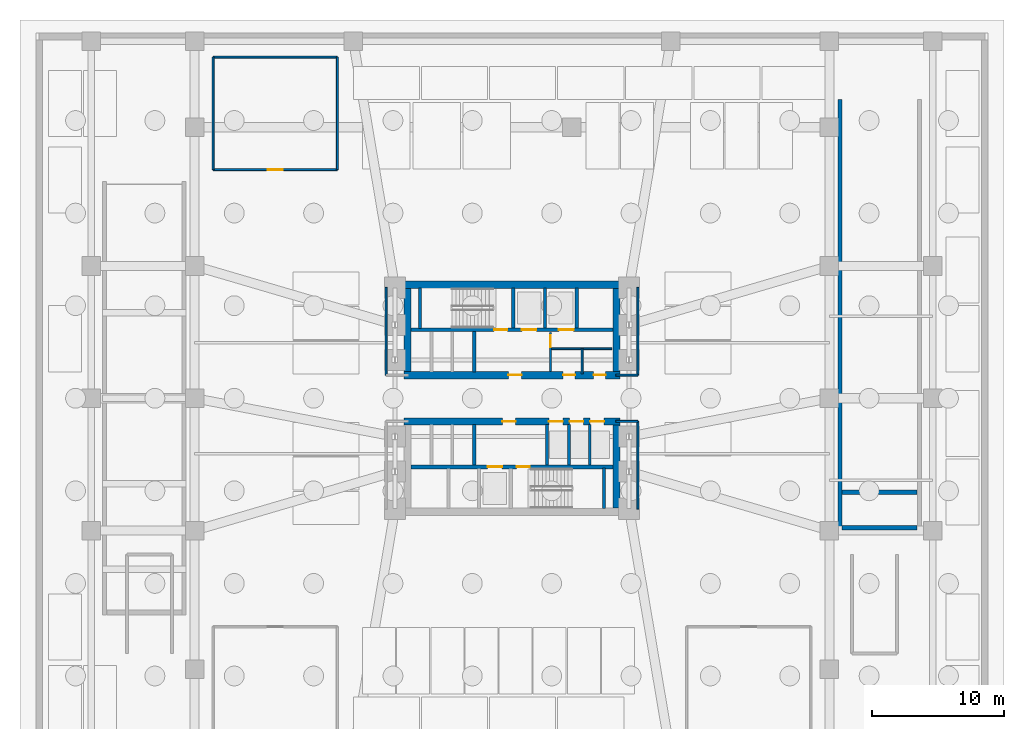
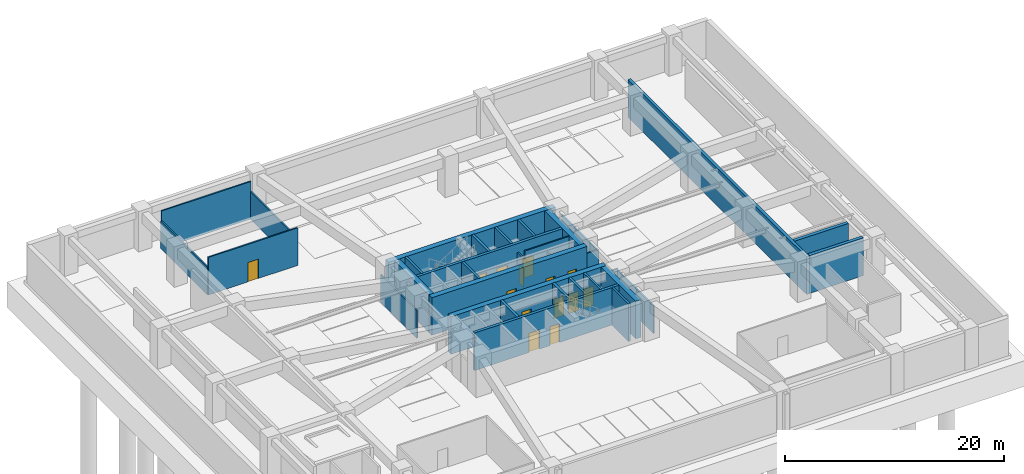
# One storey, part 7 of 14: 33 walls, 14 doors, 14 openings.
"""IFC4 building model written with IfcOpenShell, lengths in metres."""

from ifc_helpers import new_model, si_unit, direction, frame, frame_2d, origin, place, context, subcontext, project, spatial, rectangle, extrude, material, layer, layer_set, type_object, element, fill, save


model = new_model("IFC4")

# Units and contexts
model_context = context("Model", 3, precision=1e-05, world=origin(), true_north=direction((0.0, 1.0)))
body_context = subcontext(model_context, "Body", "Model", "MODEL_VIEW")
ifc_project = project(units=[si_unit("LENGTHUNIT", "METRE"), si_unit("AREAUNIT", "SQUARE_METRE"), si_unit("VOLUMEUNIT", "CUBIC_METRE"), si_unit("PLANEANGLEUNIT", "RADIAN"), si_unit("MASSUNIT", "GRAM", prefix="KILO")], contexts=[model_context])

# Site, building, storey
site_placement = place(None, origin())
site = spatial("IfcSite", under=ifc_project, at=site_placement, CompositionType="ELEMENT")
building_placement = place(site_placement, origin())
building = spatial("IfcBuilding", under=site, at=building_placement, Name="Solmarez Civic Tower", CompositionType="ELEMENT")
storey_placement = place(building_placement, frame((0.0, 0.0, -9.0)))
storey = spatial("IfcBuildingStorey", under=building, at=storey_placement, Name="B2", CompositionType="ELEMENT", Elevation=-9.0)

# Wall
ifc_material_1 = material(Name="Concrete C60/75", Category="concrete")
ifc_layer_1 = layer(ifc_material_1, 0.550048828125)
ifc_layer_set_1 = layer_set([ifc_layer_1], Name="Concrete C60/75")
wall_type_1 = type_object("IfcWallType", Name="WALL-CORE-550", PredefinedType="SHEAR", material=ifc_layer_set_1)
wall_1_placement = place(storey_placement, frame((-8.780029296875, 8.5849609375, 0.0), z_axis=(0.0, 0.0, 1.0), x_axis=(1.0, 0.0, 0.0)))
element("IfcWall", 1, at=wall_1_placement, inside=storey, type_object=wall_type_1, Name="B2 Split-Core Structural Wall NCW-N-B2", PredefinedType="SHEAR", context=body_context, shape_type="SweptSolid", body=[
    extrude(rectangle(XDim=17.56005859375, YDim=0.550048828125, at=frame_2d((8.780029296875, 0.0))), origin(), (0.0, 0.0, 1.0), 4.179931640625),
])

# Wall, openings, doors
wall_2_placement = place(storey_placement, frame((8.169921875, 1.75, 0.0), z_axis=(0.0, 0.0, 1.0), x_axis=(-1.0, 0.0, 0.0)))
wall_2 = element("IfcWall", 2, at=wall_2_placement, inside=storey, type_object=wall_type_1, Name="B2 Split-Core Structural Wall NCW-S-B2", PredefinedType="SHEAR", context=body_context, shape_type="SweptSolid", body=[
    extrude(rectangle(XDim=16.33984375, YDim=0.550048828125, at=frame_2d((8.169921875, 0.0))), origin(), (0.0, 0.0, 1.0), 4.179931640625),
])
opening_1_placement = place(wall_2_placement, frame((7.449951171875, 0.0, 0.0)))
opening_1 = element("IfcOpeningElement", 3, at=opening_1_placement, cuts=wall_2, Name="Opening D-04", PredefinedType="OPENING", context=body_context, shape_type="SweptSolid", body=[
    extrude(rectangle(XDim=1.0, YDim=2.10009765625, at=frame_2d((0.5, 1.050048828125))), frame((0.0, 0.284912109375, 0.0), z_axis=(0.0, -1.0, 0.0), x_axis=(1.0, 0.0, 0.0)), (0.0, 0.0, 1.0), 0.570068359375),
])
opening_2_placement = place(wall_2_placement, frame((3.39990234375, 0.0, 0.0)))
opening_2 = element("IfcOpeningElement", 4, at=opening_2_placement, cuts=wall_2, Name="Opening D-09", PredefinedType="OPENING", context=body_context, shape_type="SweptSolid", body=[
    extrude(rectangle(XDim=0.89990234375, YDim=2.06005859375, at=frame_2d((0.449951171875, 1.030029296875))), frame((0.0, 0.284912109375, 0.0), z_axis=(0.0, -1.0, 0.0), x_axis=(1.0, 0.0, 0.0)), (0.0, 0.0, 1.0), 0.570068359375),
])
opening_3_placement = place(wall_2_placement, frame((1.10009765625, 0.0, 0.0)))
opening_3 = element("IfcOpeningElement", 5, at=opening_3_placement, cuts=wall_2, Name="Opening D-09", PredefinedType="OPENING", context=body_context, shape_type="SweptSolid", body=[
    extrude(rectangle(XDim=0.89990234375, YDim=2.06005859375, at=frame_2d((0.449951171875, 1.030029296875))), frame((0.0, 0.284912109375, 0.0), z_axis=(0.0, -1.0, 0.0), x_axis=(1.0, 0.0, 0.0)), (0.0, 0.0, 1.0), 0.570068359375),
])
ifc_material_2 = material(Name="Steel-Faced Acoustic Fire Door", Category="steel")
door_type_1 = type_object("IfcDoorType", Name="DOOR-FD60-1000", OperationType="NOTDEFINED", PredefinedType="DOOR", material=ifc_material_2)
door_1_placement = place(opening_1_placement, origin())
door_1 = element("IfcDoor", 6, at=door_1_placement, inside=storey, type_object=door_type_1, Name="B2 North Firefighting Lobby Door", OperationType="SINGLE_SWING_LEFT", OverallHeight=2.10009765625, OverallWidth=1.0, PredefinedType="DOOR", context=body_context, shape_type="SweptSolid", body=[
    extrude(rectangle(XDim=1.0, YDim=2.10009765625, at=frame_2d((0.5, 1.050048828125))), frame((0.0, 0.02490234375, 0.0), z_axis=(0.0, -1.0, 0.0), x_axis=(1.0, 0.0, 0.0)), (0.0, 0.0, 1.0), 0.050048828125),
])
fill(opening_1, door_1)
ifc_material_3 = material(Name="Fire-Rated Service Core Door", Category="wood")
door_type_2 = type_object("IfcDoorType", Name="DOOR-FD60-900", OperationType="NOTDEFINED", PredefinedType="DOOR", material=ifc_material_3)
door_2_placement = place(opening_2_placement, origin())
door_2 = element("IfcDoor", 7, at=door_2_placement, inside=storey, type_object=door_type_2, Name="B2 Core WC Door", OperationType="SINGLE_SWING_LEFT", OverallHeight=2.06005859375, OverallWidth=0.89990234375, PredefinedType="DOOR", context=body_context, shape_type="SweptSolid", body=[
    extrude(rectangle(XDim=0.89990234375, YDim=2.06005859375, at=frame_2d((0.449951171875, 1.030029296875))), frame((0.0, 0.02490234375, 0.0), z_axis=(0.0, -1.0, 0.0), x_axis=(1.0, 0.0, 0.0)), (0.0, 0.0, 1.0), 0.050048828125),
])
fill(opening_2, door_2)
door_3_placement = place(opening_3_placement, origin())
door_3 = element("IfcDoor", 8, at=door_3_placement, inside=storey, type_object=door_type_2, Name="B2 Core CL Door", OperationType="SINGLE_SWING_RIGHT", OverallHeight=2.06005859375, OverallWidth=0.89990234375, PredefinedType="DOOR", context=body_context, shape_type="SweptSolid", body=[
    extrude(rectangle(XDim=0.89990234375, YDim=2.06005859375, at=frame_2d((0.449951171875, 1.030029296875))), frame((0.0, 0.02490234375, 0.0), z_axis=(0.0, -1.0, 0.0), x_axis=(1.0, 0.0, 0.0)), (0.0, 0.0, 1.0), 0.050048828125),
])
fill(opening_3, door_3)

# Walls
for number, where, z_axis, x_axis, name in (
    (9, (-7.89501953125, 2.02490234375, 0.0), (0.0, 0.0, 1.0), (0.0, 1.0, 0.0), "B2 Split-Core Structural Wall NCW-W-B2"),
    (10, (7.89501953125, 8.31005859375, 0.0), (0.0, 0.0, 1.0), (0.0, -1.0, 0.0), "B2 Split-Core Structural Wall NCW-E-B2"),
):
    element("IfcWall", number, at=place(storey_placement, frame(where, z_axis=z_axis, x_axis=x_axis)), inside=storey, type_object=wall_type_1, Name=name, PredefinedType="SHEAR", context=body_context, shape_type="SweptSolid", body=[
        extrude(rectangle(XDim=6.28515625, YDim=0.550048828125, at=frame_2d((3.142578125, 0.0))), origin(), (0.0, 0.0, 1.0), 4.179931640625),
    ])

# Wall, openings, doors
wall_3_placement = place(storey_placement, frame((-8.169921875, -1.75, 0.0), z_axis=(0.0, 0.0, 1.0), x_axis=(1.0, 0.0, 0.0)))
wall_3 = element("IfcWall", 11, at=wall_3_placement, inside=storey, type_object=wall_type_1, Name="B2 Split-Core Structural Wall SCW-N-B2", PredefinedType="SHEAR", context=body_context, shape_type="SweptSolid", body=[
    extrude(rectangle(XDim=16.33984375, YDim=0.550048828125, at=frame_2d((8.169921875, 0.0))), origin(), (0.0, 0.0, 1.0), 4.179931640625),
])
opening_4_placement = place(wall_3_placement, frame((7.449951171875, 0.0, 0.0)))
opening_4 = element("IfcOpeningElement", 12, at=opening_4_placement, cuts=wall_3, Name="Opening D-04", PredefinedType="OPENING", context=body_context, shape_type="SweptSolid", body=[
    extrude(rectangle(XDim=1.0, YDim=2.10009765625, at=frame_2d((0.5, 1.050048828125))), frame((0.0, 0.284912109375, 0.0), z_axis=(0.0, -1.0, 0.0), x_axis=(1.0, 0.0, 0.0)), (0.0, 0.0, 1.0), 0.570068359375),
])
opening_5_placement = place(wall_3_placement, frame((10.965087890625, 0.0, 0.0)))
opening_5 = element("IfcOpeningElement", 13, at=opening_5_placement, cuts=wall_3, Name="Opening LD-01", PredefinedType="OPENING", context=body_context, shape_type="SweptSolid", body=[
    extrude(rectangle(XDim=1.050048828125, YDim=2.14990234375, at=frame_2d((0.52490234375, 1.074951171875))), frame((0.0, 0.284912109375, 0.0), z_axis=(0.0, -1.0, 0.0), x_axis=(1.0, 0.0, 0.0)), (0.0, 0.0, 1.0), 0.570068359375),
])
opening_6_placement = place(wall_3_placement, frame((12.52490234375, 0.0, 0.0)))
opening_6 = element("IfcOpeningElement", 14, at=opening_6_placement, cuts=wall_3, Name="Opening LD-01", PredefinedType="OPENING", context=body_context, shape_type="SweptSolid", body=[
    extrude(rectangle(XDim=1.050048828125, YDim=2.14990234375, at=frame_2d((0.52490234375, 1.074951171875))), frame((0.0, 0.284912109375, 0.0), z_axis=(0.0, -1.0, 0.0), x_axis=(1.0, 0.0, 0.0)), (0.0, 0.0, 1.0), 0.570068359375),
])
opening_7_placement = place(wall_3_placement, frame((14.0849609375, 0.0, 0.0)))
opening_7 = element("IfcOpeningElement", 15, at=opening_7_placement, cuts=wall_3, Name="Opening LD-01", PredefinedType="OPENING", context=body_context, shape_type="SweptSolid", body=[
    extrude(rectangle(XDim=1.050048828125, YDim=2.14990234375, at=frame_2d((0.52490234375, 1.074951171875))), frame((0.0, 0.284912109375, 0.0), z_axis=(0.0, -1.0, 0.0), x_axis=(1.0, 0.0, 0.0)), (0.0, 0.0, 1.0), 0.570068359375),
])
door_4_placement = place(opening_4_placement, origin())
door_4 = element("IfcDoor", 16, at=door_4_placement, inside=storey, type_object=door_type_1, Name="B2 South Firefighting Lobby Door", OperationType="SINGLE_SWING_RIGHT", OverallHeight=2.10009765625, OverallWidth=1.0, PredefinedType="DOOR", context=body_context, shape_type="SweptSolid", body=[
    extrude(rectangle(XDim=1.0, YDim=2.10009765625, at=frame_2d((0.5, 1.050048828125))), frame((0.0, 0.02490234375, 0.0), z_axis=(0.0, -1.0, 0.0), x_axis=(1.0, 0.0, 0.0)), (0.0, 0.0, 1.0), 0.050048828125),
])
fill(opening_4, door_4)
ifc_material_4 = material(Name="Bronze Passenger Lift Landing Sliding Door", Category="aluminium")
door_type_3 = type_object("IfcDoorType", Name="DOOR-LD-PAX-1050", OperationType="DOUBLE_DOOR_SLIDING", PredefinedType="DOOR", material=ifc_material_4)
door_5_placement = place(opening_5_placement, origin())
door_5 = element("IfcDoor", 17, at=door_5_placement, inside=storey, type_object=door_type_3, Name="B2 Low-Rise Lift Landing Door PL-L1", OperationType="DOUBLE_DOOR_SLIDING", OverallHeight=2.14990234375, OverallWidth=1.050048828125, PredefinedType="DOOR", context=body_context, shape_type="SweptSolid", body=[
    extrude(rectangle(XDim=1.050048828125, YDim=2.14990234375, at=frame_2d((0.52490234375, 1.074951171875))), frame((0.0, 0.02490234375, 0.0), z_axis=(0.0, -1.0, 0.0), x_axis=(1.0, 0.0, 0.0)), (0.0, 0.0, 1.0), 0.050048828125),
])
fill(opening_5, door_5)
door_6_placement = place(opening_6_placement, origin())
door_6 = element("IfcDoor", 18, at=door_6_placement, inside=storey, type_object=door_type_3, Name="B2 Low-Rise Lift Landing Door PL-L2", OperationType="DOUBLE_DOOR_SLIDING", OverallHeight=2.14990234375, OverallWidth=1.050048828125, PredefinedType="DOOR", context=body_context, shape_type="SweptSolid", body=[
    extrude(rectangle(XDim=1.050048828125, YDim=2.14990234375, at=frame_2d((0.52490234375, 1.074951171875))), frame((0.0, 0.02490234375, 0.0), z_axis=(0.0, -1.0, 0.0), x_axis=(1.0, 0.0, 0.0)), (0.0, 0.0, 1.0), 0.050048828125),
])
fill(opening_6, door_6)
door_7_placement = place(opening_7_placement, origin())
door_7 = element("IfcDoor", 19, at=door_7_placement, inside=storey, type_object=door_type_3, Name="B2 Low-Rise Lift Landing Door PL-L3", OperationType="DOUBLE_DOOR_SLIDING", OverallHeight=2.14990234375, OverallWidth=1.050048828125, PredefinedType="DOOR", context=body_context, shape_type="SweptSolid", body=[
    extrude(rectangle(XDim=1.050048828125, YDim=2.14990234375, at=frame_2d((0.52490234375, 1.074951171875))), frame((0.0, 0.02490234375, 0.0), z_axis=(0.0, -1.0, 0.0), x_axis=(1.0, 0.0, 0.0)), (0.0, 0.0, 1.0), 0.050048828125),
])
fill(opening_7, door_7)

# Walls
wall_4_placement = place(storey_placement, frame((7.89501953125, -2.02490234375, 0.0), z_axis=(0.0, 0.0, 1.0), x_axis=(0.0, -1.0, 0.0)))
element("IfcWall", 20, at=wall_4_placement, inside=storey, type_object=wall_type_1, Name="B2 Split-Core Structural Wall SCW-E-B2", PredefinedType="SHEAR", context=body_context, shape_type="SweptSolid", body=[
    extrude(rectangle(XDim=6.28515625, YDim=0.550048828125, at=frame_2d((3.142578125, 0.0))), origin(), (0.0, 0.0, 1.0), 4.179931640625),
])
ifc_material_5 = material(Name="Gypsum Board Acoustic Steel-Stud Partition", Category="steel")
ifc_layer_2 = layer(ifc_material_5, 0.14990234375)
ifc_layer_set_2 = layer_set([ifc_layer_2], Name="Gypsum Board Acoustic Steel-Stud Partition")
wall_type_2 = type_object("IfcWallType", Name="WALL-INT-FIRE-150", PredefinedType="PARTITIONING", material=ifc_layer_set_2)
for number, where, z_axis, x_axis, name in (
    (21, (-9.52001953125, 1.75, 0.0), (0.0, 0.0, 1.0), (0.0, 1.0, 0.0), "B2 Interior Partition CHW-B2-WN1"),
    (22, (9.52001953125, 1.75, 0.0), (0.0, 0.0, 1.0), (0.0, 1.0, 0.0), "B2 Interior Partition CHW-B2-EN1"),
):
    element("IfcWall", number, at=place(storey_placement, frame(where, z_axis=z_axis, x_axis=x_axis)), inside=storey, type_object=wall_type_2, Name=name, PredefinedType="PARTITIONING", context=body_context, shape_type="SweptSolid", body=[
        extrude(rectangle(XDim=6.6298828125, YDim=0.14990234375, at=frame_2d((3.31494140625, 0.0))), origin(), (0.0, 0.0, 1.0), 3.072021484375),
    ])
wall_5_placement = place(storey_placement, frame((7.85009765625, 1.75, 0.0), z_axis=(0.0, 0.0, 1.0), x_axis=(1.0, 0.0, 0.0)))
element("IfcWall", 23, at=wall_5_placement, inside=storey, type_object=wall_type_2, Name="B2 Interior Partition CHW-B2-EN3", PredefinedType="PARTITIONING", context=body_context, shape_type="SweptSolid", body=[
    extrude(rectangle(XDim=1.669921875, YDim=0.14990234375, at=frame_2d((0.8349609375, 0.0))), origin(), (0.0, 0.0, 1.0), 3.2451171875),
])
wall_6_placement = place(storey_placement, frame((9.52001953125, -8.3798828125, 0.0), z_axis=(0.0, 0.0, 1.0), x_axis=(0.0, 1.0, 0.0)))
element("IfcWall", 24, at=wall_6_placement, inside=storey, type_object=wall_type_2, Name="B2 Interior Partition CHW-B2-ES1", PredefinedType="PARTITIONING", context=body_context, shape_type="SweptSolid", body=[
    extrude(rectangle(XDim=6.6298828125, YDim=0.14990234375, at=frame_2d((3.31494140625, 0.0))), origin(), (0.0, 0.0, 1.0), 3.072021484375),
])
wall_7_placement = place(storey_placement, frame((7.85009765625, -1.75, 0.0), z_axis=(0.0, 0.0, 1.0), x_axis=(1.0, 0.0, 0.0)))
element("IfcWall", 25, at=wall_7_placement, inside=storey, type_object=wall_type_2, Name="B2 Interior Partition CHW-B2-ES3", PredefinedType="PARTITIONING", context=body_context, shape_type="SweptSolid", body=[
    extrude(rectangle(XDim=1.669921875, YDim=0.14990234375, at=frame_2d((0.8349609375, 0.0))), origin(), (0.0, 0.0, 1.0), 3.2451171875),
])

# Wall, opening, door
wall_8_placement = place(storey_placement, frame((-13.199951171875, 17.280029296875, 0.0), z_axis=(0.0, 0.0, 1.0), x_axis=(-1.0, 0.0, 0.0)))
wall_8 = element("IfcWall", 26, at=wall_8_placement, inside=storey, type_object=wall_type_2, Name="B2 Interior Partition PT-B2-NW-F", PredefinedType="PARTITIONING", context=body_context, shape_type="SweptSolid", body=[
    extrude(rectangle(XDim=9.400146484375, YDim=0.14990234375, at=frame_2d((4.7001953125, 0.0))), origin(), (0.0, 0.0, 1.0), 4.179931640625),
])
opening_8_placement = place(wall_8_placement, frame((4.14990234375, 0.0, 0.0)))
opening_8 = element("IfcOpeningElement", 27, at=opening_8_placement, cuts=wall_8, Name="Opening D-07", PredefinedType="OPENING", context=body_context, shape_type="SweptSolid", body=[
    extrude(rectangle(XDim=1.10009765625, YDim=2.14990234375, at=frame_2d((0.550048828125, 1.074951171875))), frame((0.0, 0.0849609375, 0.0), z_axis=(0.0, -1.0, 0.0), x_axis=(1.0, 0.0, 0.0)), (0.0, 0.0, 1.0), 0.169921875),
])
ifc_material_6 = material(Name="Heavy-Duty Fire Exit Door", Category="wood")
door_type_4 = type_object("IfcDoorType", Name="DOOR-FD90-1100", OperationType="NOTDEFINED", PredefinedType="DOOR", material=ifc_material_6)
door_8_placement = place(opening_8_placement, origin())
door_8 = element("IfcDoor", 28, at=door_8_placement, inside=storey, type_object=door_type_4, Name="B2 Mechanical Equipment Store Door", OperationType="SINGLE_SWING_LEFT", OverallHeight=2.14990234375, OverallWidth=1.10009765625, PredefinedType="DOOR", context=body_context, shape_type="SweptSolid", body=[
    extrude(rectangle(XDim=1.10009765625, YDim=2.14990234375, at=frame_2d((0.550048828125, 1.074951171875))), frame((0.0, 0.02490234375, 0.0), z_axis=(0.0, -1.0, 0.0), x_axis=(1.0, 0.0, 0.0)), (0.0, 0.0, 1.0), 0.050048828125),
])
fill(opening_8, door_8)

# Walls
for number, where, z_axis, x_axis, name in (
    (29, (-22.60009765625, 17.280029296875, 0.0), (0.0, 0.0, 1.0), (0.0, 1.0, 0.0), "B2 Interior Partition PT-B2-NW-W"),
    (30, (-13.199951171875, 17.280029296875, 0.0), (0.0, 0.0, 1.0), (0.0, 1.0, 0.0), "B2 Interior Partition PT-B2-NW-E"),
):
    element("IfcWall", number, at=place(storey_placement, frame(where, z_axis=z_axis, x_axis=x_axis)), inside=storey, type_object=wall_type_2, Name=name, PredefinedType="PARTITIONING", context=body_context, shape_type="SweptSolid", body=[
        extrude(rectangle(XDim=8.52001953125, YDim=0.14990234375, at=frame_2d((4.260009765625, 0.0))), origin(), (0.0, 0.0, 1.0), 3.072021484375),
    ])
wall_9_placement = place(storey_placement, frame((-22.60009765625, 25.800048828125, 0.0), z_axis=(0.0, 0.0, 1.0), x_axis=(1.0, 0.0, 0.0)))
element("IfcWall", 31, at=wall_9_placement, inside=storey, type_object=wall_type_2, Name="B2 Interior Partition PT-B2-NW-B", PredefinedType="PARTITIONING", context=body_context, shape_type="SweptSolid", body=[
    extrude(rectangle(XDim=9.400146484375, YDim=0.14990234375, at=frame_2d((4.7001953125, 0.0))), origin(), (0.0, 0.0, 1.0), 4.179931640625),
])

# Wall, opening, door
ifc_layer_3 = layer(ifc_material_5, 0.159912109375)
ifc_layer_set_3 = layer_set([ifc_layer_3], Name="Gypsum Board Acoustic Steel-Stud Partition")
wall_type_3 = type_object("IfcWallType", Name="WALL-INT-SHAFT-160", PredefinedType="PARTITIONING", material=ifc_layer_set_3)
wall_10_placement = place(storey_placement, frame((2.89990234375, 2.0400390625, 0.0), z_axis=(0.0, 0.0, 1.0), x_axis=(0.0, 1.0, 0.0)))
wall_10 = element("IfcWall", 32, at=wall_10_placement, inside=storey, type_object=wall_type_3, Name="B2 Interior Partition SHW-NL2-B2", PredefinedType="PARTITIONING", context=body_context, shape_type="SweptSolid", body=[
    extrude(rectangle(XDim=2.93994140625, YDim=0.159912109375, at=frame_2d((1.469970703125, 0.0))), origin(), (0.0, 0.0, 1.0), 3.2451171875),
])
opening_9_placement = place(wall_10_placement, frame((1.820068359375, 0.0, 0.0)))
opening_9 = element("IfcOpeningElement", 33, at=opening_9_placement, cuts=wall_10, Name="Opening D-09", PredefinedType="OPENING", context=body_context, shape_type="SweptSolid", body=[
    extrude(rectangle(XDim=0.89990234375, YDim=2.06005859375, at=frame_2d((0.449951171875, 1.030029296875))), frame((0.0, 0.08984375, 0.0), z_axis=(0.0, -1.0, 0.0), x_axis=(1.0, 0.0, 0.0)), (0.0, 0.0, 1.0), 0.179931640625),
])
door_9_placement = place(opening_9_placement, origin())
door_9 = element("IfcDoor", 34, at=door_9_placement, inside=storey, type_object=door_type_2, Name="B2 Service Lift Lobby Door", OperationType="SINGLE_SWING_LEFT", OverallHeight=2.06005859375, OverallWidth=0.89990234375, PredefinedType="DOOR", context=body_context, shape_type="SweptSolid", body=[
    extrude(rectangle(XDim=0.89990234375, YDim=2.06005859375, at=frame_2d((0.449951171875, 1.030029296875))), frame((0.0, 0.02490234375, 0.0), z_axis=(0.0, -1.0, 0.0), x_axis=(1.0, 0.0, 0.0)), (0.0, 0.0, 1.0), 0.050048828125),
])
fill(opening_9, door_9)

# Walls
ifc_layer_4 = layer(ifc_material_5, 0.137939453125)
ifc_layer_set_4 = layer_set([ifc_layer_4], Name="Gypsum Board Acoustic Steel-Stud Partition")
wall_type_4 = type_object("IfcWallType", Name="WALL-INT-WET-140", PredefinedType="PARTITIONING", material=ifc_layer_set_4)
wall_11_placement = place(storey_placement, frame((2.89990234375, 3.739990234375, 0.0), z_axis=(0.0, 0.0, 1.0), x_axis=(1.0, 0.0, 0.0)))
element("IfcWall", 35, at=wall_11_placement, inside=storey, type_object=wall_type_4, Name="B2 Interior Partition SHW-SVH-B2", PredefinedType="PARTITIONING", context=body_context, shape_type="SweptSolid", body=[
    extrude(rectangle(XDim=4.650146484375, YDim=0.137939453125, at=frame_2d((2.3251953125, 0.0))), origin(), (0.0, 0.0, 1.0), 4.179931640625),
])
wall_12_placement = place(storey_placement, frame((5.300048828125, 1.85009765625, 0.0), z_axis=(0.0, 0.0, 1.0), x_axis=(0.0, 1.0, 0.0)))
element("IfcWall", 36, at=wall_12_placement, inside=storey, type_object=wall_type_4, Name="B2 Interior Partition PT-NCSV-B2", PredefinedType="PARTITIONING", context=body_context, shape_type="SweptSolid", body=[
    extrude(rectangle(XDim=1.889892578125, YDim=0.137939453125, at=frame_2d((0.94482421875, 0.0))), origin(), (0.0, 0.0, 1.0), 3.2451171875),
])

# Wall, openings, doors
ifc_material_7 = material(Name="Concrete C50/60", Category="concrete")
ifc_layer_5 = layer(ifc_material_7, 0.300048828125)
ifc_layer_set_5 = layer_set([ifc_layer_5], Name="Concrete C50/60")
wall_type_5 = type_object("IfcWallType", Name="WALL-STR-300", PredefinedType="SOLIDWALL", material=ifc_layer_set_5)
wall_13_placement = place(storey_placement, frame((7.6201171875, 5.179931640625, 0.0), z_axis=(0.0, 0.0, 1.0), x_axis=(-1.0, 0.0, 0.0)))
wall_13 = element("IfcWall", 37, at=wall_13_placement, inside=storey, type_object=wall_type_5, Name="B2 Split-Core Structural Wall NCW-M-B2", PredefinedType="SOLIDWALL", context=body_context, shape_type="SweptSolid", body=[
    extrude(rectangle(XDim=15.240234375, YDim=0.300048828125, at=frame_2d((7.6201171875, 0.0))), origin(), (0.0, 0.0, 1.0), 4.179931640625),
])
opening_10_placement = place(wall_13_placement, frame((5.77001953125, 0.0, 0.0)))
opening_10 = element("IfcOpeningElement", 38, at=opening_10_placement, cuts=wall_13, Name="Opening LD-02", PredefinedType="OPENING", context=body_context, shape_type="SweptSolid", body=[
    extrude(rectangle(XDim=1.10009765625, YDim=2.14990234375, at=frame_2d((0.550048828125, 1.074951171875))), frame((0.0, 0.159912109375, 0.0), z_axis=(0.0, -1.0, 0.0), x_axis=(1.0, 0.0, 0.0)), (0.0, 0.0, 1.0), 0.320068359375),
])
opening_11_placement = place(wall_13_placement, frame((2.969970703125, 0.0, 0.0)))
opening_11 = element("IfcOpeningElement", 39, at=opening_11_placement, cuts=wall_13, Name="Opening LD-03", PredefinedType="OPENING", context=body_context, shape_type="SweptSolid", body=[
    extrude(rectangle(XDim=1.10009765625, YDim=2.14990234375, at=frame_2d((0.550048828125, 1.074951171875))), frame((0.0, 0.159912109375, 0.0), z_axis=(0.0, -1.0, 0.0), x_axis=(1.0, 0.0, 0.0)), (0.0, 0.0, 1.0), 0.320068359375),
])
opening_12_placement = place(wall_13_placement, frame((7.969970703125, 0.0, 0.0)))
opening_12 = element("IfcOpeningElement", 40, at=opening_12_placement, cuts=wall_13, Name="Opening D-05", PredefinedType="OPENING", context=body_context, shape_type="SweptSolid", body=[
    extrude(rectangle(XDim=1.0, YDim=2.10009765625, at=frame_2d((0.5, 1.050048828125))), frame((0.0, 0.159912109375, 0.0), z_axis=(0.0, -1.0, 0.0), x_axis=(1.0, 0.0, 0.0)), (0.0, 0.0, 1.0), 0.320068359375),
])
ifc_material_8 = material(Name="Fire-Rated Stairwell Exit Door", Category="wood")
door_type_5 = type_object("IfcDoorType", Name="DOOR-FD90-1000", OperationType="NOTDEFINED", PredefinedType="DOOR", material=ifc_material_8)
door_10_placement = place(opening_12_placement, origin())
door_10 = element("IfcDoor", 41, at=door_10_placement, inside=storey, type_object=door_type_5, Name="B2 North Exit Stair Door ST-1", OperationType="SINGLE_SWING_LEFT", OverallHeight=2.10009765625, OverallWidth=1.0, PredefinedType="DOOR", context=body_context, shape_type="SweptSolid", body=[
    extrude(rectangle(XDim=1.0, YDim=2.10009765625, at=frame_2d((0.5, 1.050048828125))), frame((0.0, 0.02490234375, 0.0), z_axis=(0.0, -1.0, 0.0), x_axis=(1.0, 0.0, 0.0)), (0.0, 0.0, 1.0), 0.050048828125),
])
fill(opening_12, door_10)
ifc_material_9 = material(Name="Stainless Firefighting Lift Landing Sliding Door", Category="aluminium")
door_type_6 = type_object("IfcDoorType", Name="DOOR-LD-FF-1100", OperationType="DOUBLE_DOOR_SLIDING", PredefinedType="DOOR", material=ifc_material_9)
door_11_placement = place(opening_10_placement, origin())
door_11 = element("IfcDoor", 42, at=door_11_placement, inside=storey, type_object=door_type_6, Name="B2 Firefighting Lift Landing Door FFL-1", OperationType="DOUBLE_DOOR_SLIDING", OverallHeight=2.14990234375, OverallWidth=1.10009765625, PredefinedType="DOOR", context=body_context, shape_type="SweptSolid", body=[
    extrude(rectangle(XDim=1.10009765625, YDim=2.14990234375, at=frame_2d((0.550048828125, 1.074951171875))), frame((0.0, 0.02490234375, 0.0), z_axis=(0.0, -1.0, 0.0), x_axis=(1.0, 0.0, 0.0)), (0.0, 0.0, 1.0), 0.050048828125),
])
fill(opening_10, door_11)
ifc_material_10 = material(Name="Stainless Stretcher Lift Landing Sliding Door", Category="aluminium")
door_type_7 = type_object("IfcDoorType", Name="DOOR-LD-SV-1100", OperationType="DOUBLE_DOOR_SLIDING", PredefinedType="DOOR", material=ifc_material_10)
door_12_placement = place(opening_11_placement, origin())
door_12 = element("IfcDoor", 43, at=door_12_placement, inside=storey, type_object=door_type_7, Name="B2 Service Stretcher Lift Landing Door SVL-1", OperationType="DOUBLE_DOOR_SLIDING", OverallHeight=2.14990234375, OverallWidth=1.10009765625, PredefinedType="DOOR", context=body_context, shape_type="SweptSolid", body=[
    extrude(rectangle(XDim=1.10009765625, YDim=2.14990234375, at=frame_2d((0.550048828125, 1.074951171875))), frame((0.0, 0.02490234375, 0.0), z_axis=(0.0, -1.0, 0.0), x_axis=(1.0, 0.0, 0.0)), (0.0, 0.0, 1.0), 0.050048828125),
])
fill(opening_11, door_12)

wall_14_placement = place(storey_placement, frame((-7.6201171875, -5.179931640625, 0.0), z_axis=(0.0, 0.0, 1.0), x_axis=(1.0, 0.0, 0.0)))
wall_14 = element("IfcWall", 44, at=wall_14_placement, inside=storey, type_object=wall_type_5, Name="B2 Split-Core Structural Wall SCW-M-B2", PredefinedType="SOLIDWALL", context=body_context, shape_type="SweptSolid", body=[
    extrude(rectangle(XDim=15.240234375, YDim=0.300048828125, at=frame_2d((7.6201171875, 0.0))), origin(), (0.0, 0.0, 1.0), 4.179931640625),
])
opening_13_placement = place(wall_14_placement, frame((5.77001953125, 0.0, 0.0)))
opening_13 = element("IfcOpeningElement", 45, at=opening_13_placement, cuts=wall_14, Name="Opening LD-02", PredefinedType="OPENING", context=body_context, shape_type="SweptSolid", body=[
    extrude(rectangle(XDim=1.10009765625, YDim=2.14990234375, at=frame_2d((0.550048828125, 1.074951171875))), frame((0.0, 0.159912109375, 0.0), z_axis=(0.0, -1.0, 0.0), x_axis=(1.0, 0.0, 0.0)), (0.0, 0.0, 1.0), 0.320068359375),
])
opening_14_placement = place(wall_14_placement, frame((7.969970703125, 0.0, 0.0)))
opening_14 = element("IfcOpeningElement", 46, at=opening_14_placement, cuts=wall_14, Name="Opening D-05", PredefinedType="OPENING", context=body_context, shape_type="SweptSolid", body=[
    extrude(rectangle(XDim=1.0, YDim=2.10009765625, at=frame_2d((0.5, 1.050048828125))), frame((0.0, 0.159912109375, 0.0), z_axis=(0.0, -1.0, 0.0), x_axis=(1.0, 0.0, 0.0)), (0.0, 0.0, 1.0), 0.320068359375),
])
door_13_placement = place(opening_14_placement, origin())
door_13 = element("IfcDoor", 47, at=door_13_placement, inside=storey, type_object=door_type_5, Name="B2 South Exit Stair Door ST-2", OperationType="SINGLE_SWING_RIGHT", OverallHeight=2.10009765625, OverallWidth=1.0, PredefinedType="DOOR", context=body_context, shape_type="SweptSolid", body=[
    extrude(rectangle(XDim=1.0, YDim=2.10009765625, at=frame_2d((0.5, 1.050048828125))), frame((0.0, 0.02490234375, 0.0), z_axis=(0.0, -1.0, 0.0), x_axis=(1.0, 0.0, 0.0)), (0.0, 0.0, 1.0), 0.050048828125),
])
fill(opening_14, door_13)
door_14_placement = place(opening_13_placement, origin())
door_14 = element("IfcDoor", 48, at=door_14_placement, inside=storey, type_object=door_type_6, Name="B2 Firefighting Lift Landing Door FFL-2", OperationType="DOUBLE_DOOR_SLIDING", OverallHeight=2.14990234375, OverallWidth=1.10009765625, PredefinedType="DOOR", context=body_context, shape_type="SweptSolid", body=[
    extrude(rectangle(XDim=1.10009765625, YDim=2.14990234375, at=frame_2d((0.550048828125, 1.074951171875))), frame((0.0, 0.02490234375, 0.0), z_axis=(0.0, -1.0, 0.0), x_axis=(1.0, 0.0, 0.0)), (0.0, 0.0, 1.0), 0.050048828125),
])
fill(opening_13, door_14)

# Walls
for number, where, z_axis, x_axis, name in (
    (49, (-6.949951171875, 5.280029296875, 0.0), (0.0, 0.0, 1.0), (0.0, 1.0, 0.0), "B2 Split-Core Structural Wall SHW-NW-B2"),
    (50, (6.949951171875, -8.340087890625, 0.0), (0.0, 0.0, 1.0), (0.0, 1.0, 0.0), "B2 Split-Core Structural Wall SHW-SE-B2"),
):
    element("IfcWall", number, at=place(storey_placement, frame(where, z_axis=z_axis, x_axis=x_axis)), inside=storey, type_object=wall_type_5, Name=name, PredefinedType="SOLIDWALL", context=body_context, shape_type="SweptSolid", body=[
        extrude(rectangle(XDim=3.06005859375, YDim=0.219970703125, at=frame_2d((1.530029296875, 0.0))), origin(), (0.0, 0.0, 1.0), 4.179931640625),
    ])
for number, where, z_axis, x_axis, name in (
    (51, (0.10009765625, 5.300048828125, 0.0), (0.0, 0.0, 1.0), (0.0, 1.0, 0.0), "B2 Split-Core Structural Wall SHW-N1-B2"),
    (52, (2.5, 5.300048828125, 0.0), (0.0, 0.0, 1.0), (0.0, 1.0, 0.0), "B2 Split-Core Structural Wall SHW-N2-B2"),
    (53, (4.89990234375, 5.300048828125, 0.0), (0.0, 0.0, 1.0), (0.0, 1.0, 0.0), "B2 Split-Core Structural Wall SHW-N3-B2"),
):
    element("IfcWall", number, at=place(storey_placement, frame(where, z_axis=z_axis, x_axis=x_axis)), inside=storey, type_object=wall_type_5, Name=name, PredefinedType="SOLIDWALL", context=body_context, shape_type="SweptSolid", body=[
        extrude(rectangle(XDim=3.0400390625, YDim=0.25, at=frame_2d((1.52001953125, 0.0))), origin(), (0.0, 0.0, 1.0), 4.179931640625),
    ])
for number, where, z_axis, x_axis, name in (
    (54, (-2.85009765625, 1.97998046875, 0.0), (0.0, 0.0, 1.0), (0.0, 1.0, 0.0), "B2 Split-Core Structural Wall SHW-NL1-B2"),
    (55, (-2.85009765625, -5.050048828125, 0.0), (0.0, 0.0, 1.0), (0.0, 1.0, 0.0), "B2 Split-Core Structural Wall SHW-SL1-B2"),
    (56, (2.64990234375, -5.050048828125, 0.0), (0.0, 0.0, 1.0), (0.0, 1.0, 0.0), "B2 Split-Core Structural Wall SHW-SL2-B2"),
):
    element("IfcWall", number, at=place(storey_placement, frame(where, z_axis=z_axis, x_axis=x_axis)), inside=storey, type_object=wall_type_5, Name=name, PredefinedType="SOLIDWALL", context=body_context, shape_type="SweptSolid", body=[
        extrude(rectangle(XDim=3.070068359375, YDim=0.25, at=frame_2d((1.53515625, 0.0))), origin(), (0.0, 0.0, 1.0), 4.179931640625),
    ])
for number, where, z_axis, x_axis, name in (
    (57, (4.320068359375, -5.050048828125, 0.0), (0.0, 0.0, 1.0), (0.0, 1.0, 0.0), "B2 Split-Core Structural Wall SHW-PLL-B2-1"),
    (58, (5.8798828125, -5.050048828125, 0.0), (0.0, 0.0, 1.0), (0.0, 1.0, 0.0), "B2 Split-Core Structural Wall SHW-PLL-B2-2"),
):
    element("IfcWall", number, at=place(storey_placement, frame(where, z_axis=z_axis, x_axis=x_axis)), inside=storey, type_object=wall_type_5, Name=name, PredefinedType="SOLIDWALL", context=body_context, shape_type="SweptSolid", body=[
        extrude(rectangle(XDim=3.070068359375, YDim=0.219970703125, at=frame_2d((1.53515625, 0.0))), origin(), (0.0, 0.0, 1.0), 4.179931640625),
    ])
wall_15_placement = place(storey_placement, frame((24.800048828125, -10.0, 0.0), z_axis=(0.0, 0.0, 1.0), x_axis=(0.0, 1.0, 0.0)))
element("IfcWall", 59, at=wall_15_placement, inside=storey, type_object=wall_type_5, Name="B2 Vehicle Ramp Structural Wall SW-VR1-W-B2", PredefinedType="SOLIDWALL", context=body_context, shape_type="SweptSolid", body=[
    extrude(rectangle(XDim=32.60009765625, YDim=0.300048828125, at=frame_2d((16.300048828125, 0.0))), origin(), (0.0, 0.0, 1.0), 4.179931640625),
])
wall_16_placement = place(storey_placement, frame((24.9599609375, -9.800048828125, 0.0), z_axis=(0.0, 0.0, 1.0), x_axis=(1.0, 0.0, 0.0)))
element("IfcWall", 60, at=wall_16_placement, inside=storey, type_object=wall_type_5, Name="B2 Ramp Landing Bearing Wall SW-VR1-BOT-B2", PredefinedType="SOLIDWALL", context=body_context, shape_type="SweptSolid", body=[
    extrude(rectangle(XDim=5.679931640625, YDim=0.35009765625, at=frame_2d((2.83984375, 0.0))), origin(), (0.0, 0.0, 1.0), 4.2099609375),
])
wall_17_placement = place(storey_placement, frame((24.9599609375, -7.10009765625, 0.0), z_axis=(0.0, 0.0, 1.0), x_axis=(1.0, 0.0, 0.0)))
element("IfcWall", 61, at=wall_17_placement, inside=storey, type_object=wall_type_5, Name="B2 Ramp Landing Bearing Wall SW-VR1-TOE-B2", PredefinedType="SOLIDWALL", context=body_context, shape_type="SweptSolid", body=[
    extrude(rectangle(XDim=5.679931640625, YDim=0.35009765625, at=frame_2d((2.83984375, 0.0))), origin(), (0.0, 0.0, 1.0), 4.179931640625),
])

save(model, "model.ifc")
